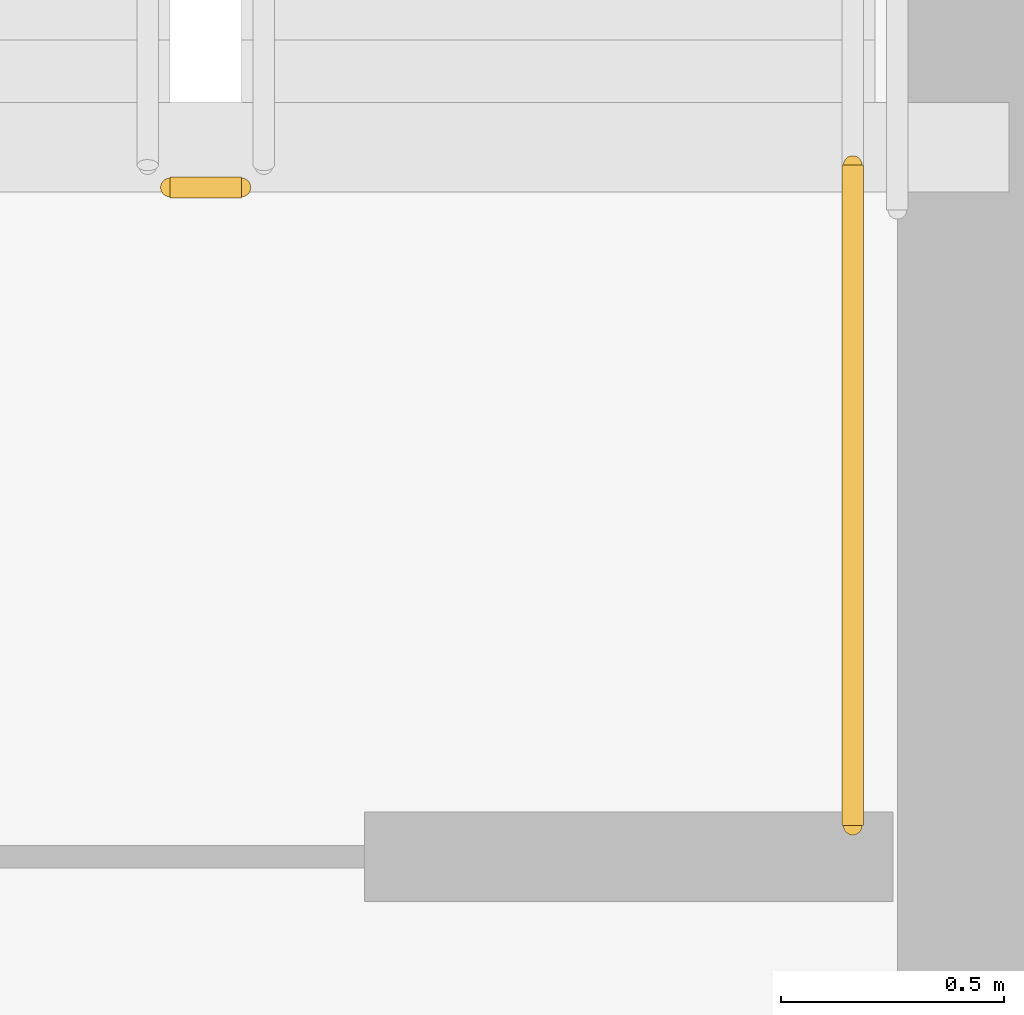
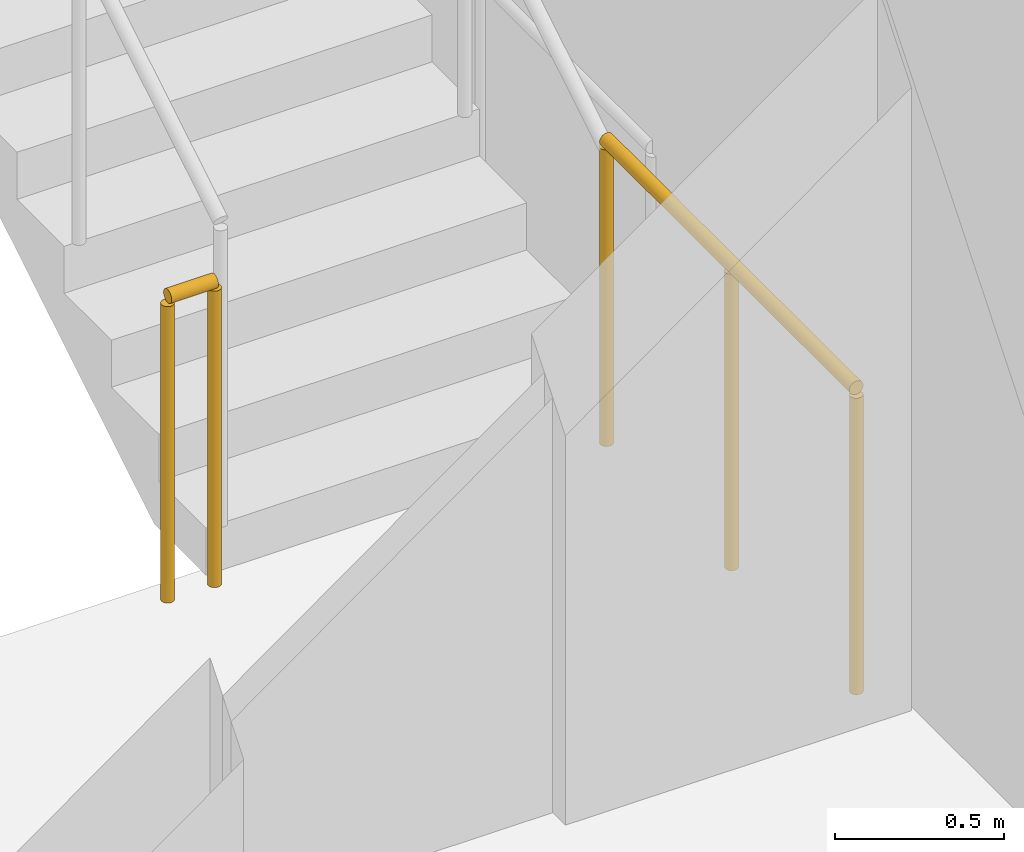
# One storey, part 28 of 31: 2 railings.
"""IFC4 building model written with IfcOpenShell, lengths in metres."""

from ifc_helpers import new_model, si_unit, direction, frame, origin, origin_2d, place, context, subcontext, project, spatial, circle, extrude, material, layer, layer_set, type_object, element, save


model = new_model("IFC4")

# Units and contexts
model_context = context("Model", 3, precision=1e-05, world=origin(), true_north=direction((0.0, 1.0)))
body_context = subcontext(model_context, "Body", "Model", "MODEL_VIEW")
ifc_project = project(units=[si_unit("LENGTHUNIT", "METRE"), si_unit("AREAUNIT", "SQUARE_METRE"), si_unit("VOLUMEUNIT", "CUBIC_METRE"), si_unit("PLANEANGLEUNIT", "RADIAN"), si_unit("MASSUNIT", "GRAM", prefix="KILO")], contexts=[model_context])

# Site, building, storey
site_placement = place(None, origin())
site = spatial("IfcSite", under=ifc_project, at=site_placement, CompositionType="ELEMENT")
building_placement = place(site_placement, origin())
building = spatial("IfcBuilding", under=site, at=building_placement, Name="Yelkora Congress Tower", CompositionType="ELEMENT")
storey_placement = place(building_placement, frame((0.0, 0.0, 30.39990234375)))
storey = spatial("IfcBuildingStorey", under=building, at=storey_placement, Name="L06", CompositionType="ELEMENT", Elevation=30.39990234375)

# Railings
ifc_material = material(Name="Painted galvanised steel stair well guard with vertical infill", Category="steel")
ifc_layer = layer(ifc_material, 0.06005859375)
ifc_layer_set = layer_set([ifc_layer], Name="Painted galvanised steel stair well guard with vertical infill")
railing_type = type_object("IfcRailingType", Name="RAIL-STAIR-GUARD-1120", PredefinedType="GUARDRAIL", material=ifc_layer_set)
railing_1_placement = place(storey_placement, frame((52.0400390625, 39.550048828125, 0.0)))
element("IfcRailing", 1, at=railing_1_placement, inside=storey, type_object=railing_type, Name="ST-02 L06 Stair Well Guardrail 7", PredefinedType="GUARDRAIL", context=body_context, shape_type="SweptSolid", body=[
    extrude(circle(Radius=0.02392578125, at=origin_2d()), frame((0.0, 0.0, 1.09619140625), z_axis=(-1.0, 0.0, 0.0), x_axis=(0.0, -1.0, 0.0)), (0.0, 0.0, 1.0), 0.16015625),
    extrude(circle(Radius=0.02099609375, at=origin_2d()), origin(), (0.0, 0.0, 1.0), 1.072021484375),
    extrude(circle(Radius=0.02099609375, at=origin_2d()), frame((-0.16015625, 0.0, 0.0)), (0.0, 0.0, 1.0), 1.072021484375),
])
railing_2_placement = place(storey_placement, frame((53.409912109375, 38.1201171875, 0.0)))
element("IfcRailing", 2, at=railing_2_placement, inside=storey, type_object=railing_type, Name="ST-02 L06 Stair Well Guardrail 8", PredefinedType="GUARDRAIL", context=body_context, shape_type="SweptSolid", body=[
    extrude(circle(Radius=0.02392578125, at=origin_2d()), frame((0.0, 0.0, 1.09619140625), z_axis=(0.0, 1.0, 0.0), x_axis=(-1.0, 0.0, 0.0)), (0.0, 0.0, 1.0), 1.47998046875),
    extrude(circle(Radius=0.02099609375, at=origin_2d()), origin(), (0.0, 0.0, 1.0), 1.072021484375),
    extrude(circle(Radius=0.02099609375, at=origin_2d()), frame((0.0, 0.739990234375, 0.0)), (0.0, 0.0, 1.0), 1.072021484375),
    extrude(circle(Radius=0.02099609375, at=origin_2d()), frame((0.0, 1.47998046875, 0.0)), (0.0, 0.0, 1.0), 1.072021484375),
])

save(model, "model.ifc")
